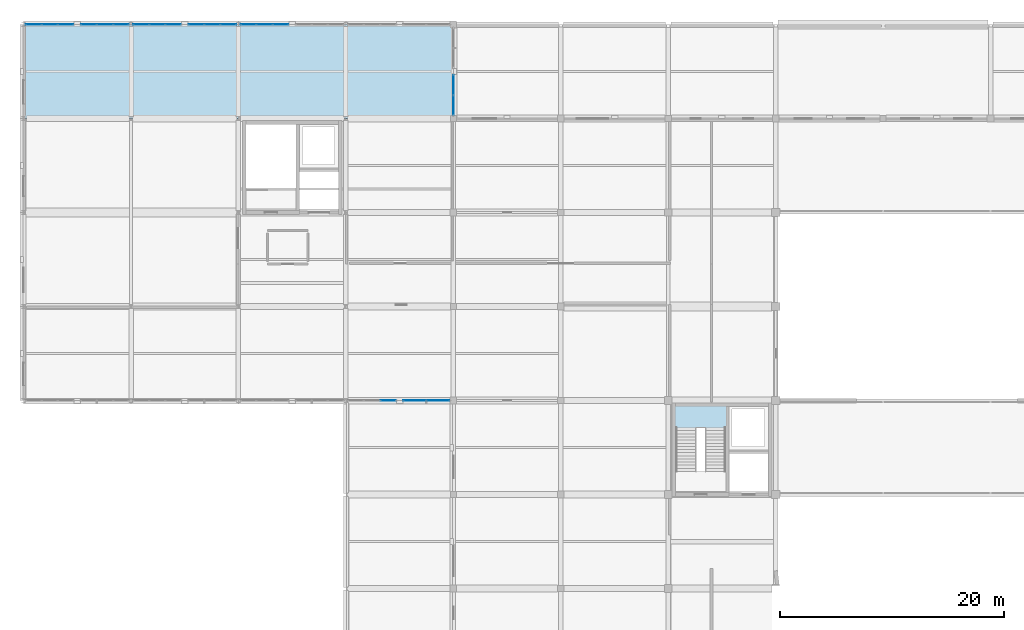
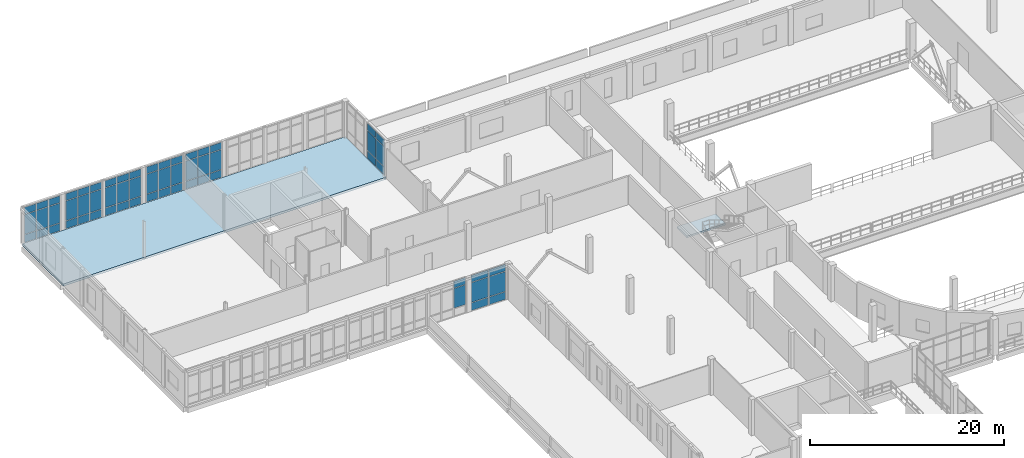
# One storey, part 68 of 88: 59 plates, 2 slabs, 9 elements without a shape of their own.
"""IFC4 building model written with IfcOpenShell, lengths in metres."""

import ifcopenshell
import ifcopenshell.guid

model = None  # the IFC model being written
_history = None  # IfcOwnerHistory: only IFC2X3 demands one
_inside = {}  # id of a spatial element -> (the spatial element, [elements in it])
_under = {}  # id of a project, library or spatial element -> (it, [spatial elements below it])
_declared = {}  # id of a project -> (the project, [libraries it declares])
_typed = {}  # id of a type object -> (the type object, [elements of that type])
_made_of = {}  # id of a material, layer set ... -> (it, [elements and type objects made of it])


def new_model(schema):
    """Start an empty IFC model of exactly this schema.

    Asked for "IFC4X3", IfcOpenShell would pick the latest addendum, in which some entities
    have other attributes; the version numbers below select the first issue.
    IFC2X3 requires an IfcOwnerHistory on every rooted entity: one is made here for all.
    """
    global model, _history
    if schema == "IFC4X3":
        model = ifcopenshell.file(schema_version=(4, 3, 0, 0))
    else:
        model = ifcopenshell.file(schema=schema)
    _inside.clear()
    _under.clear()
    _declared.clear()
    _typed.clear()
    _made_of.clear()
    _history = None
    if model.schema == "IFC2X3":
        org = make("IfcOrganization", Name="unknown")
        user = make(
            "IfcPersonAndOrganization",
            ThePerson=make("IfcPerson", FamilyName="unknown"),
            TheOrganization=org,
        )
        app = make(
            "IfcApplication",
            ApplicationDeveloper=org,
            Version="unknown",
            ApplicationFullName="unknown",
            ApplicationIdentifier="unknown",
        )
        _history = make(
            "IfcOwnerHistory",
            OwningUser=user,
            OwningApplication=app,
            ChangeAction="ADDED",
            CreationDate=0,
        )
    return model


def make(cls, **values):
    """One entity of the class cls with the attributes given. An attribute that is None is left unset."""
    return model.create_entity(
        cls, **{name: value for name, value in values.items() if value is not None}
    )


def rooted(cls, **values):
    """An entity with a GlobalId (a new one), such as an element, a storey or a relation."""
    return make(cls, GlobalId=ifcopenshell.guid.new(), OwnerHistory=_history, **values)


def si_unit(unit_type, name, prefix=None):
    """IfcSIUnit, for example si_unit("LENGTHUNIT", "METRE", prefix="MILLI")."""
    return make("IfcSIUnit", UnitType=unit_type, Prefix=prefix, Name=name)


def assignment(units):
    """IfcUnitAssignment: the units of a project."""
    return None if units is None else make("IfcUnitAssignment", Units=units)


def point(xyz):
    """IfcCartesianPoint."""
    return None if xyz is None else make("IfcCartesianPoint", Coordinates=xyz)


def direction(xyz):
    """IfcDirection."""
    return None if xyz is None else make("IfcDirection", DirectionRatios=xyz)


def frame(location, z_axis=None, x_axis=None):
    """IfcAxis2Placement3D, a coordinate frame: its origin and axes. An axis left out is left unset."""
    return make(
        "IfcAxis2Placement3D",
        Location=point(location),
        Axis=direction(z_axis),
        RefDirection=direction(x_axis),
    )


def frame_2d(location, x_axis=None):
    """IfcAxis2Placement2D, a coordinate frame in the plane: its origin and x axis."""
    return make(
        "IfcAxis2Placement2D", Location=point(location), RefDirection=direction(x_axis)
    )


def origin():
    """The frame at (0, 0, 0) with its axes left unset."""
    return frame((0.0, 0.0, 0.0))


def origin_2d():
    """The frame at (0, 0) in the plane with its x axis left unset."""
    return frame_2d((0.0, 0.0))


def place(relative_to, where):
    """IfcLocalPlacement: puts the frame where relative to a parent placement (None: the world)."""
    return make(
        "IfcLocalPlacement", PlacementRelTo=relative_to, RelativePlacement=where
    )


def context(
    kind, dimensions, precision=None, world=None, true_north=None, identifier=None
):
    """IfcGeometricRepresentationContext, for example the 3D "Model" context."""
    return make(
        "IfcGeometricRepresentationContext",
        ContextIdentifier=identifier,
        ContextType=kind,
        CoordinateSpaceDimension=dimensions,
        Precision=precision,
        WorldCoordinateSystem=world,
        TrueNorth=true_north,
    )


def subcontext(parent, identifier, kind, view, scale=None):
    """IfcGeometricRepresentationSubContext, for example "Body" below "Model"."""
    return make(
        "IfcGeometricRepresentationSubContext",
        ContextIdentifier=identifier,
        ContextType=kind,
        ParentContext=parent,
        TargetScale=scale,
        TargetView=view,
    )


def project(units=None, contexts=None):
    """IfcProject with its units and contexts."""
    return rooted(
        "IfcProject",
        Name="project",
        RepresentationContexts=contexts,
        UnitsInContext=assignment(units),
    )


def spatial(cls, under=None, at=None, **own):
    """A site, building, storey or space (cls), placed at a placement, below another one or the project."""
    s = rooted(cls, ObjectPlacement=at, **own)
    if under is not None:
        _under.setdefault(under.id(), (under, []))[1].append(s)
    return s


def polyline(points):
    """IfcPolyline through the points."""
    return make("IfcPolyline", Points=[point(p) for p in points])


def profile(cls, at=None, kind="AREA", **sizes):
    """A parametric profile (cls). Its sizes go by their IFC names, for example OverallWidth=200.0."""
    return make(cls, ProfileType=kind, Position=at, **sizes)


def rectangle(**sizes):
    """IfcRectangleProfileDef."""
    return profile("IfcRectangleProfileDef", **sizes)


def outline(outer, holes=None, kind="AREA"):
    """IfcArbitraryClosedProfileDef: a profile drawn as a closed curve; with holes, ...WithVoids."""
    if holes is None:
        return make("IfcArbitraryClosedProfileDef", ProfileType=kind, OuterCurve=outer)
    return make(
        "IfcArbitraryProfileDefWithVoids",
        ProfileType=kind,
        OuterCurve=outer,
        InnerCurves=holes,
    )


def extrude(swept, where, along, depth):
    """IfcExtrudedAreaSolid: the profile swept, set in the frame where, extruded along a direction by depth."""
    return make(
        "IfcExtrudedAreaSolid",
        SweptArea=swept,
        Position=where,
        ExtrudedDirection=direction(along),
        Depth=depth,
    )


def shape(context_of_items, identifier, shape_type, items):
    """IfcShapeRepresentation: the items that make up one representation, for example the "Body"."""
    return make(
        "IfcShapeRepresentation",
        ContextOfItems=context_of_items,
        RepresentationIdentifier=identifier,
        RepresentationType=shape_type,
        Items=items,
    )


def material(Name=None, Category=None):
    """IfcMaterial."""
    return make("IfcMaterial", Name=Name, Category=Category)


def layer(
    of_material, thickness, ventilated=None, Name=None, Category=None, Priority=None
):
    """IfcMaterialLayer: one layer of a wall or slab, of a material (None: an air gap)."""
    return make(
        "IfcMaterialLayer",
        Material=of_material,
        LayerThickness=thickness,
        IsVentilated=ventilated,
        Name=Name,
        Category=Category,
        Priority=Priority,
    )


def layer_set(layers, Name=None):
    """IfcMaterialLayerSet."""
    return make("IfcMaterialLayerSet", MaterialLayers=layers, LayerSetName=Name)


def made_of(thing, what):
    """Note that an element or type object is made of a material, layer set ...; save() writes the relation."""
    if what is not None:
        _made_of.setdefault(what.id(), (what, []))[1].append(thing)
    return thing


def type_object(cls, material=None, **own):
    """A type object (cls), such as IfcWallType, which elements share."""
    return made_of(rooted(cls, **own), material)


def element(
    cls,
    number,
    at=None,
    inside=None,
    cuts=None,
    type_object=None,
    material=None,
    context=None,
    identifier="Body",
    shape_type=None,
    held_by="IfcProductDefinitionShape",
    body=None,
    shapes=None,
    **own,
):
    """One element of the class cls, such as IfcWall. Its Tag is "e" and its number.

    at: its placement. inside: the storey or other place that contains it. cuts: it is an
    opening in that element (IfcRelVoidsElement). A single representation is given by context,
    identifier, shape_type and body (its items); several are given by shapes. held_by: the class
    of the entity that holds the representations. save() writes the other relations.
    """
    e = rooted(cls, Tag="e%d" % number, ObjectPlacement=at, **own)
    if body is not None:
        shapes = [shape(context, identifier, shape_type, body)]
    if shapes is not None:
        e.Representation = make(held_by, Representations=shapes)
    if inside is not None:
        _inside.setdefault(inside.id(), (inside, []))[1].append(e)
    if cuts is not None:
        rooted(
            "IfcRelVoidsElement", RelatingBuildingElement=cuts, RelatedOpeningElement=e
        )
    if type_object is not None:
        _typed.setdefault(type_object.id(), (type_object, []))[1].append(e)
    return made_of(e, material)


def aggregate(whole, parts):
    """IfcRelAggregates: a whole, such as a stair, and the parts it consists of."""
    return rooted("IfcRelAggregates", RelatingObject=whole, RelatedObjects=parts)


def save(model, path):
    """Write the relations noted so far, then the file.

    IfcRelAggregates (storeys below a building ...), IfcRelContainedInSpatialStructure (elements
    in a storey), IfcRelDefinesByType, IfcRelAssociatesMaterial and IfcRelDeclares: one each for
    every whole, place, type object, material and project.
    """
    for whole, parts in _under.values():
        aggregate(whole, parts)
    for where, things in _inside.values():
        rooted(
            "IfcRelContainedInSpatialStructure",
            RelatedElements=things,
            RelatingStructure=where,
        )
    for kind, things in _typed.values():
        rooted("IfcRelDefinesByType", RelatedObjects=things, RelatingType=kind)
    for what, things in _made_of.values():
        rooted("IfcRelAssociatesMaterial", RelatedObjects=things, RelatingMaterial=what)
    for by, libraries in _declared.values():
        rooted("IfcRelDeclares", RelatingContext=by, RelatedDefinitions=libraries)
    model.write(path)


model = new_model("IFC4")

# Units and contexts
model_context = context("Model", 3, precision=1e-05, world=origin(), true_north=direction((0.0, 1.0)))
body_context = subcontext(model_context, "Body", "Model", "MODEL_VIEW")
ifc_project = project(units=[si_unit("LENGTHUNIT", "METRE"), si_unit("AREAUNIT", "SQUARE_METRE"), si_unit("VOLUMEUNIT", "CUBIC_METRE"), si_unit("PLANEANGLEUNIT", "RADIAN"), si_unit("MASSUNIT", "GRAM", prefix="KILO")], contexts=[model_context])

# Site, building, storey
site_placement = place(None, origin())
site = spatial("IfcSite", under=ifc_project, at=site_placement, CompositionType="ELEMENT")
building_placement = place(site_placement, origin())
building = spatial("IfcBuilding", under=site, at=building_placement, Name="Lornevale Opera House", CompositionType="ELEMENT")
storey_placement = place(building_placement, frame((0.0, 0.0, 10.199951171875)))
storey = spatial("IfcBuildingStorey", under=building, at=storey_placement, Name="L03", CompositionType="ELEMENT", Elevation=10.199951171875)

# Curtain wall, plates
ifc_material_1 = material(Name="Anodized Oxide-Green Aluminium Framing", Category="aluminium")
ifc_layer_1 = layer(ifc_material_1, 0.175048828125)
ifc_layer_set_1 = layer_set([ifc_layer_1], Name="Anodized Oxide-Green Aluminium Framing")
curtain_wall_type = type_object("IfcCurtainWallType", Name="Chamber Cloister Curtain Wall M1700", PredefinedType="NOTDEFINED", material=ifc_layer_set_1)
curtain_wall_1_placement = place(storey_placement, origin())
curtain_wall_1 = element("IfcCurtainWall", 1, at=curtain_wall_1_placement, inside=storey, type_object=curtain_wall_type, Name="Chamber Cloister Curtain Wall M1700 CW-098", PredefinedType="NOTDEFINED")
ifc_material_2 = material(Name="Triple Low-E Insulated Glazing", Category="glass")
ifc_layer_2 = layer(ifc_material_2, 0.0419921875)
ifc_layer_set_2 = layer_set([ifc_layer_2], Name="Triple Low-E Insulated Glazing")
plate_type = type_object("IfcPlateType", Name="Ceramic Fritted Bird-Safe Panel 42", PredefinedType="CURTAIN_PANEL", material=ifc_layer_set_2)
plate_1_placement = place(storey_placement, frame((0.89501953125, 100.800048828125, 0.06494140625), z_axis=(0.0, 0.0, 1.0), x_axis=(1.0, 0.0, 0.0)))
plate_1 = element("IfcPlate", 2, at=plate_1_placement, type_object=plate_type, Name="Ceramic Fritted Bird-Safe Panel 42 CW1978", PredefinedType="CURTAIN_PANEL", context=body_context, shape_type="SweptSolid", body=[
    extrude(rectangle(XDim=1.35888671875, YDim=0.0419921875, at=origin_2d()), origin(), (0.0, 0.0, 1.0), 0.952392578125),
])
plate_2_placement = place(storey_placement, frame((0.89501953125, 100.800048828125, 1.08251953125), z_axis=(0.0, 0.0, 1.0), x_axis=(1.0, 0.0, 0.0)))
plate_2 = element("IfcPlate", 3, at=plate_2_placement, type_object=plate_type, Name="Ceramic Fritted Bird-Safe Panel 42 CW1979", PredefinedType="CURTAIN_PANEL", context=body_context, shape_type="SweptSolid", body=[
    extrude(rectangle(XDim=1.35888671875, YDim=0.0419921875, at=origin_2d()), origin(), (0.0, 0.0, 1.0), 2.47509765625),
])
plate_3_placement = place(storey_placement, frame((0.89501953125, 100.800048828125, 3.62255859375), z_axis=(0.0, 0.0, 1.0), x_axis=(1.0, 0.0, 0.0)))
plate_3 = element("IfcPlate", 4, at=plate_3_placement, type_object=plate_type, Name="Ceramic Fritted Bird-Safe Panel 42 CW1980", PredefinedType="CURTAIN_PANEL", context=body_context, shape_type="SweptSolid", body=[
    extrude(rectangle(XDim=1.35888671875, YDim=0.0419921875, at=origin_2d()), origin(), (0.0, 0.0, 1.0), 0.8525390625),
])
plate_4_placement = place(storey_placement, frame((2.335205078125, 100.800048828125, 0.06494140625), z_axis=(0.0, 0.0, 1.0), x_axis=(1.0, 0.0, 0.0)))
plate_4 = element("IfcPlate", 5, at=plate_4_placement, type_object=plate_type, Name="Ceramic Fritted Bird-Safe Panel 42 CW1985", PredefinedType="CURTAIN_PANEL", context=body_context, shape_type="SweptSolid", body=[
    extrude(rectangle(XDim=1.3916015625, YDim=0.0419921875, at=origin_2d()), origin(), (0.0, 0.0, 1.0), 0.952392578125),
])
plate_5_placement = place(storey_placement, frame((2.335205078125, 100.800048828125, 1.08251953125), z_axis=(0.0, 0.0, 1.0), x_axis=(1.0, 0.0, 0.0)))
plate_5 = element("IfcPlate", 6, at=plate_5_placement, type_object=plate_type, Name="Ceramic Fritted Bird-Safe Panel 42 CW1986", PredefinedType="CURTAIN_PANEL", context=body_context, shape_type="SweptSolid", body=[
    extrude(rectangle(XDim=1.3916015625, YDim=0.0419921875, at=origin_2d()), origin(), (0.0, 0.0, 1.0), 2.47509765625),
])
plate_6_placement = place(storey_placement, frame((2.335205078125, 100.800048828125, 3.62255859375), z_axis=(0.0, 0.0, 1.0), x_axis=(1.0, 0.0, 0.0)))
plate_6 = element("IfcPlate", 7, at=plate_6_placement, type_object=plate_type, Name="Ceramic Fritted Bird-Safe Panel 42 CW1987", PredefinedType="CURTAIN_PANEL", context=body_context, shape_type="SweptSolid", body=[
    extrude(rectangle(XDim=1.3916015625, YDim=0.0419921875, at=origin_2d()), origin(), (0.0, 0.0, 1.0), 0.8525390625),
])
plate_7_placement = place(storey_placement, frame((3.775390625, 100.800048828125, 0.06494140625), z_axis=(0.0, 0.0, 1.0), x_axis=(1.0, 0.0, 0.0)))
plate_7 = element("IfcPlate", 8, at=plate_7_placement, type_object=plate_type, Name="Ceramic Fritted Bird-Safe Panel 42 CW1992", PredefinedType="CURTAIN_PANEL", context=body_context, shape_type="SweptSolid", body=[
    extrude(rectangle(XDim=1.35888671875, YDim=0.0419921875, at=origin_2d()), origin(), (0.0, 0.0, 1.0), 0.952392578125),
])
plate_8_placement = place(storey_placement, frame((3.775390625, 100.800048828125, 1.08251953125), z_axis=(0.0, 0.0, 1.0), x_axis=(1.0, 0.0, 0.0)))
plate_8 = element("IfcPlate", 9, at=plate_8_placement, type_object=plate_type, Name="Ceramic Fritted Bird-Safe Panel 42 CW1993", PredefinedType="CURTAIN_PANEL", context=body_context, shape_type="SweptSolid", body=[
    extrude(rectangle(XDim=1.35888671875, YDim=0.0419921875, at=origin_2d()), origin(), (0.0, 0.0, 1.0), 2.47509765625),
])
plate_9_placement = place(storey_placement, frame((3.775390625, 100.800048828125, 3.62255859375), z_axis=(0.0, 0.0, 1.0), x_axis=(1.0, 0.0, 0.0)))
plate_9 = element("IfcPlate", 10, at=plate_9_placement, type_object=plate_type, Name="Ceramic Fritted Bird-Safe Panel 42 CW1994", PredefinedType="CURTAIN_PANEL", context=body_context, shape_type="SweptSolid", body=[
    extrude(rectangle(XDim=1.35888671875, YDim=0.0419921875, at=origin_2d()), origin(), (0.0, 0.0, 1.0), 0.8525390625),
])
aggregate(curtain_wall_1, [plate_1, plate_2, plate_3, plate_4, plate_5, plate_6, plate_7, plate_8, plate_9])

curtain_wall_2_placement = place(storey_placement, origin())
curtain_wall_2 = element("IfcCurtainWall", 11, at=curtain_wall_2_placement, inside=storey, type_object=curtain_wall_type, Name="Chamber Cloister Curtain Wall M1700 CW-099", PredefinedType="NOTDEFINED")
plate_10_placement = place(storey_placement, frame((5.824462890625, 100.800048828125, 0.06494140625), z_axis=(0.0, 0.0, 1.0), x_axis=(1.0, 0.0, 0.0)))
plate_10 = element("IfcPlate", 12, at=plate_10_placement, type_object=plate_type, Name="Ceramic Fritted Bird-Safe Panel 42 CW2003", PredefinedType="CURTAIN_PANEL", context=body_context, shape_type="SweptSolid", body=[
    extrude(rectangle(XDim=1.35888671875, YDim=0.0419921875, at=origin_2d()), origin(), (0.0, 0.0, 1.0), 0.952392578125),
])
plate_11_placement = place(storey_placement, frame((5.824462890625, 100.800048828125, 1.08251953125), z_axis=(0.0, 0.0, 1.0), x_axis=(1.0, 0.0, 0.0)))
plate_11 = element("IfcPlate", 13, at=plate_11_placement, type_object=plate_type, Name="Ceramic Fritted Bird-Safe Panel 42 CW2004", PredefinedType="CURTAIN_PANEL", context=body_context, shape_type="SweptSolid", body=[
    extrude(rectangle(XDim=1.35888671875, YDim=0.0419921875, at=origin_2d()), origin(), (0.0, 0.0, 1.0), 2.47509765625),
])
plate_12_placement = place(storey_placement, frame((5.824462890625, 100.800048828125, 3.62255859375), z_axis=(0.0, 0.0, 1.0), x_axis=(1.0, 0.0, 0.0)))
plate_12 = element("IfcPlate", 14, at=plate_12_placement, type_object=plate_type, Name="Ceramic Fritted Bird-Safe Panel 42 CW2005", PredefinedType="CURTAIN_PANEL", context=body_context, shape_type="SweptSolid", body=[
    extrude(rectangle(XDim=1.35888671875, YDim=0.0419921875, at=origin_2d()), origin(), (0.0, 0.0, 1.0), 0.8525390625),
])
plate_13_placement = place(storey_placement, frame((7.264892578125, 100.800048828125, 0.06494140625), z_axis=(0.0, 0.0, 1.0), x_axis=(1.0, 0.0, 0.0)))
plate_13 = element("IfcPlate", 15, at=plate_13_placement, type_object=plate_type, Name="Ceramic Fritted Bird-Safe Panel 42 CW2010", PredefinedType="CURTAIN_PANEL", context=body_context, shape_type="SweptSolid", body=[
    extrude(rectangle(XDim=1.3916015625, YDim=0.0419921875, at=origin_2d()), origin(), (0.0, 0.0, 1.0), 0.952392578125),
])
plate_14_placement = place(storey_placement, frame((7.264892578125, 100.800048828125, 1.08251953125), z_axis=(0.0, 0.0, 1.0), x_axis=(1.0, 0.0, 0.0)))
plate_14 = element("IfcPlate", 16, at=plate_14_placement, type_object=plate_type, Name="Ceramic Fritted Bird-Safe Panel 42 CW2011", PredefinedType="CURTAIN_PANEL", context=body_context, shape_type="SweptSolid", body=[
    extrude(rectangle(XDim=1.3916015625, YDim=0.0419921875, at=origin_2d()), origin(), (0.0, 0.0, 1.0), 2.47509765625),
])
plate_15_placement = place(storey_placement, frame((7.264892578125, 100.800048828125, 3.62255859375), z_axis=(0.0, 0.0, 1.0), x_axis=(1.0, 0.0, 0.0)))
plate_15 = element("IfcPlate", 17, at=plate_15_placement, type_object=plate_type, Name="Ceramic Fritted Bird-Safe Panel 42 CW2012", PredefinedType="CURTAIN_PANEL", context=body_context, shape_type="SweptSolid", body=[
    extrude(rectangle(XDim=1.3916015625, YDim=0.0419921875, at=origin_2d()), origin(), (0.0, 0.0, 1.0), 0.8525390625),
])
plate_16_placement = place(storey_placement, frame((8.705078125, 100.800048828125, 0.06494140625), z_axis=(0.0, 0.0, 1.0), x_axis=(1.0, 0.0, 0.0)))
plate_16 = element("IfcPlate", 18, at=plate_16_placement, type_object=plate_type, Name="Ceramic Fritted Bird-Safe Panel 42 CW2017", PredefinedType="CURTAIN_PANEL", context=body_context, shape_type="SweptSolid", body=[
    extrude(rectangle(XDim=1.35888671875, YDim=0.0419921875, at=origin_2d()), origin(), (0.0, 0.0, 1.0), 0.952392578125),
])
plate_17_placement = place(storey_placement, frame((8.705078125, 100.800048828125, 1.08251953125), z_axis=(0.0, 0.0, 1.0), x_axis=(1.0, 0.0, 0.0)))
plate_17 = element("IfcPlate", 19, at=plate_17_placement, type_object=plate_type, Name="Ceramic Fritted Bird-Safe Panel 42 CW2018", PredefinedType="CURTAIN_PANEL", context=body_context, shape_type="SweptSolid", body=[
    extrude(rectangle(XDim=1.35888671875, YDim=0.0419921875, at=origin_2d()), origin(), (0.0, 0.0, 1.0), 2.47509765625),
])
plate_18_placement = place(storey_placement, frame((8.705078125, 100.800048828125, 3.62255859375), z_axis=(0.0, 0.0, 1.0), x_axis=(1.0, 0.0, 0.0)))
plate_18 = element("IfcPlate", 20, at=plate_18_placement, type_object=plate_type, Name="Ceramic Fritted Bird-Safe Panel 42 CW2019", PredefinedType="CURTAIN_PANEL", context=body_context, shape_type="SweptSolid", body=[
    extrude(rectangle(XDim=1.35888671875, YDim=0.0419921875, at=origin_2d()), origin(), (0.0, 0.0, 1.0), 0.8525390625),
])
aggregate(curtain_wall_2, [plate_10, plate_11, plate_12, plate_13, plate_14, plate_15, plate_16, plate_17, plate_18])

curtain_wall_3_placement = place(storey_placement, origin())
curtain_wall_3 = element("IfcCurtainWall", 21, at=curtain_wall_3_placement, inside=storey, type_object=curtain_wall_type, Name="Chamber Cloister Curtain Wall M1700 CW-106", PredefinedType="NOTDEFINED")
plate_19_placement = place(storey_placement, frame((10.4951171875, 100.800048828125, 0.06494140625), z_axis=(0.0, 0.0, 1.0), x_axis=(1.0, 0.0, 0.0)))
plate_19 = element("IfcPlate", 22, at=plate_19_placement, type_object=plate_type, Name="Ceramic Fritted Bird-Safe Panel 42 CW2178", PredefinedType="CURTAIN_PANEL", context=body_context, shape_type="SweptSolid", body=[
    extrude(rectangle(XDim=1.35888671875, YDim=0.0419921875, at=origin_2d()), origin(), (0.0, 0.0, 1.0), 0.952392578125),
])
plate_20_placement = place(storey_placement, frame((10.4951171875, 100.800048828125, 1.08251953125), z_axis=(0.0, 0.0, 1.0), x_axis=(1.0, 0.0, 0.0)))
plate_20 = element("IfcPlate", 23, at=plate_20_placement, type_object=plate_type, Name="Ceramic Fritted Bird-Safe Panel 42 CW2179", PredefinedType="CURTAIN_PANEL", context=body_context, shape_type="SweptSolid", body=[
    extrude(rectangle(XDim=1.35888671875, YDim=0.0419921875, at=origin_2d()), origin(), (0.0, 0.0, 1.0), 2.47509765625),
])
plate_21_placement = place(storey_placement, frame((10.4951171875, 100.800048828125, 3.62255859375), z_axis=(0.0, 0.0, 1.0), x_axis=(1.0, 0.0, 0.0)))
plate_21 = element("IfcPlate", 24, at=plate_21_placement, type_object=plate_type, Name="Ceramic Fritted Bird-Safe Panel 42 CW2180", PredefinedType="CURTAIN_PANEL", context=body_context, shape_type="SweptSolid", body=[
    extrude(rectangle(XDim=1.35888671875, YDim=0.0419921875, at=origin_2d()), origin(), (0.0, 0.0, 1.0), 0.8525390625),
])
plate_22_placement = place(storey_placement, frame((11.935302734375, 100.800048828125, 0.06494140625), z_axis=(0.0, 0.0, 1.0), x_axis=(1.0, 0.0, 0.0)))
plate_22 = element("IfcPlate", 25, at=plate_22_placement, type_object=plate_type, Name="Ceramic Fritted Bird-Safe Panel 42 CW2185", PredefinedType="CURTAIN_PANEL", context=body_context, shape_type="SweptSolid", body=[
    extrude(rectangle(XDim=1.3916015625, YDim=0.0419921875, at=origin_2d()), origin(), (0.0, 0.0, 1.0), 0.952392578125),
])
plate_23_placement = place(storey_placement, frame((11.935302734375, 100.800048828125, 1.08251953125), z_axis=(0.0, 0.0, 1.0), x_axis=(1.0, 0.0, 0.0)))
plate_23 = element("IfcPlate", 26, at=plate_23_placement, type_object=plate_type, Name="Ceramic Fritted Bird-Safe Panel 42 CW2186", PredefinedType="CURTAIN_PANEL", context=body_context, shape_type="SweptSolid", body=[
    extrude(rectangle(XDim=1.3916015625, YDim=0.0419921875, at=origin_2d()), origin(), (0.0, 0.0, 1.0), 2.47509765625),
])
plate_24_placement = place(storey_placement, frame((11.935302734375, 100.800048828125, 3.62255859375), z_axis=(0.0, 0.0, 1.0), x_axis=(1.0, 0.0, 0.0)))
plate_24 = element("IfcPlate", 27, at=plate_24_placement, type_object=plate_type, Name="Ceramic Fritted Bird-Safe Panel 42 CW2187", PredefinedType="CURTAIN_PANEL", context=body_context, shape_type="SweptSolid", body=[
    extrude(rectangle(XDim=1.3916015625, YDim=0.0419921875, at=origin_2d()), origin(), (0.0, 0.0, 1.0), 0.8525390625),
])
plate_25_placement = place(storey_placement, frame((13.37548828125, 100.800048828125, 0.06494140625), z_axis=(0.0, 0.0, 1.0), x_axis=(1.0, 0.0, 0.0)))
plate_25 = element("IfcPlate", 28, at=plate_25_placement, type_object=plate_type, Name="Ceramic Fritted Bird-Safe Panel 42 CW2192", PredefinedType="CURTAIN_PANEL", context=body_context, shape_type="SweptSolid", body=[
    extrude(rectangle(XDim=1.35888671875, YDim=0.0419921875, at=origin_2d()), origin(), (0.0, 0.0, 1.0), 0.952392578125),
])
plate_26_placement = place(storey_placement, frame((13.37548828125, 100.800048828125, 1.08251953125), z_axis=(0.0, 0.0, 1.0), x_axis=(1.0, 0.0, 0.0)))
plate_26 = element("IfcPlate", 29, at=plate_26_placement, type_object=plate_type, Name="Ceramic Fritted Bird-Safe Panel 42 CW2193", PredefinedType="CURTAIN_PANEL", context=body_context, shape_type="SweptSolid", body=[
    extrude(rectangle(XDim=1.35888671875, YDim=0.0419921875, at=origin_2d()), origin(), (0.0, 0.0, 1.0), 2.47509765625),
])
plate_27_placement = place(storey_placement, frame((13.37548828125, 100.800048828125, 3.62255859375), z_axis=(0.0, 0.0, 1.0), x_axis=(1.0, 0.0, 0.0)))
plate_27 = element("IfcPlate", 30, at=plate_27_placement, type_object=plate_type, Name="Ceramic Fritted Bird-Safe Panel 42 CW2194", PredefinedType="CURTAIN_PANEL", context=body_context, shape_type="SweptSolid", body=[
    extrude(rectangle(XDim=1.35888671875, YDim=0.0419921875, at=origin_2d()), origin(), (0.0, 0.0, 1.0), 0.8525390625),
])
aggregate(curtain_wall_3, [plate_19, plate_20, plate_21, plate_22, plate_23, plate_24, plate_25, plate_26, plate_27])

curtain_wall_4_placement = place(storey_placement, origin())
curtain_wall_4 = element("IfcCurtainWall", 31, at=curtain_wall_4_placement, inside=storey, type_object=curtain_wall_type, Name="Chamber Cloister Curtain Wall M1700 CW-107", PredefinedType="NOTDEFINED")
plate_28_placement = place(storey_placement, frame((15.424560546875, 100.800048828125, 0.06494140625), z_axis=(0.0, 0.0, 1.0), x_axis=(1.0, 0.0, 0.0)))
plate_28 = element("IfcPlate", 32, at=plate_28_placement, type_object=plate_type, Name="Ceramic Fritted Bird-Safe Panel 42 CW2203", PredefinedType="CURTAIN_PANEL", context=body_context, shape_type="SweptSolid", body=[
    extrude(rectangle(XDim=1.35888671875, YDim=0.0419921875, at=origin_2d()), origin(), (0.0, 0.0, 1.0), 0.952392578125),
])
plate_29_placement = place(storey_placement, frame((15.424560546875, 100.800048828125, 1.08251953125), z_axis=(0.0, 0.0, 1.0), x_axis=(1.0, 0.0, 0.0)))
plate_29 = element("IfcPlate", 33, at=plate_29_placement, type_object=plate_type, Name="Ceramic Fritted Bird-Safe Panel 42 CW2204", PredefinedType="CURTAIN_PANEL", context=body_context, shape_type="SweptSolid", body=[
    extrude(rectangle(XDim=1.35888671875, YDim=0.0419921875, at=origin_2d()), origin(), (0.0, 0.0, 1.0), 2.47509765625),
])
plate_30_placement = place(storey_placement, frame((15.424560546875, 100.800048828125, 3.62255859375), z_axis=(0.0, 0.0, 1.0), x_axis=(1.0, 0.0, 0.0)))
plate_30 = element("IfcPlate", 34, at=plate_30_placement, type_object=plate_type, Name="Ceramic Fritted Bird-Safe Panel 42 CW2205", PredefinedType="CURTAIN_PANEL", context=body_context, shape_type="SweptSolid", body=[
    extrude(rectangle(XDim=1.35888671875, YDim=0.0419921875, at=origin_2d()), origin(), (0.0, 0.0, 1.0), 0.8525390625),
])
plate_31_placement = place(storey_placement, frame((16.86474609375, 100.800048828125, 0.06494140625), z_axis=(0.0, 0.0, 1.0), x_axis=(1.0, 0.0, 0.0)))
plate_31 = element("IfcPlate", 35, at=plate_31_placement, type_object=plate_type, Name="Ceramic Fritted Bird-Safe Panel 42 CW2210", PredefinedType="CURTAIN_PANEL", context=body_context, shape_type="SweptSolid", body=[
    extrude(rectangle(XDim=1.3916015625, YDim=0.0419921875, at=origin_2d()), origin(), (0.0, 0.0, 1.0), 0.952392578125),
])
plate_32_placement = place(storey_placement, frame((16.86474609375, 100.800048828125, 1.08251953125), z_axis=(0.0, 0.0, 1.0), x_axis=(1.0, 0.0, 0.0)))
plate_32 = element("IfcPlate", 36, at=plate_32_placement, type_object=plate_type, Name="Ceramic Fritted Bird-Safe Panel 42 CW2211", PredefinedType="CURTAIN_PANEL", context=body_context, shape_type="SweptSolid", body=[
    extrude(rectangle(XDim=1.3916015625, YDim=0.0419921875, at=origin_2d()), origin(), (0.0, 0.0, 1.0), 2.47509765625),
])
plate_33_placement = place(storey_placement, frame((16.86474609375, 100.800048828125, 3.62255859375), z_axis=(0.0, 0.0, 1.0), x_axis=(1.0, 0.0, 0.0)))
plate_33 = element("IfcPlate", 37, at=plate_33_placement, type_object=plate_type, Name="Ceramic Fritted Bird-Safe Panel 42 CW2212", PredefinedType="CURTAIN_PANEL", context=body_context, shape_type="SweptSolid", body=[
    extrude(rectangle(XDim=1.3916015625, YDim=0.0419921875, at=origin_2d()), origin(), (0.0, 0.0, 1.0), 0.8525390625),
])
plate_34_placement = place(storey_placement, frame((18.304931640625, 100.800048828125, 0.06494140625), z_axis=(0.0, 0.0, 1.0), x_axis=(1.0, 0.0, 0.0)))
plate_34 = element("IfcPlate", 38, at=plate_34_placement, type_object=plate_type, Name="Ceramic Fritted Bird-Safe Panel 42 CW2217", PredefinedType="CURTAIN_PANEL", context=body_context, shape_type="SweptSolid", body=[
    extrude(rectangle(XDim=1.35888671875, YDim=0.0419921875, at=origin_2d()), origin(), (0.0, 0.0, 1.0), 0.952392578125),
])
plate_35_placement = place(storey_placement, frame((18.304931640625, 100.800048828125, 1.08251953125), z_axis=(0.0, 0.0, 1.0), x_axis=(1.0, 0.0, 0.0)))
plate_35 = element("IfcPlate", 39, at=plate_35_placement, type_object=plate_type, Name="Ceramic Fritted Bird-Safe Panel 42 CW2218", PredefinedType="CURTAIN_PANEL", context=body_context, shape_type="SweptSolid", body=[
    extrude(rectangle(XDim=1.35888671875, YDim=0.0419921875, at=origin_2d()), origin(), (0.0, 0.0, 1.0), 2.47509765625),
])
plate_36_placement = place(storey_placement, frame((18.304931640625, 100.800048828125, 3.62255859375), z_axis=(0.0, 0.0, 1.0), x_axis=(1.0, 0.0, 0.0)))
plate_36 = element("IfcPlate", 40, at=plate_36_placement, type_object=plate_type, Name="Ceramic Fritted Bird-Safe Panel 42 CW2219", PredefinedType="CURTAIN_PANEL", context=body_context, shape_type="SweptSolid", body=[
    extrude(rectangle(XDim=1.35888671875, YDim=0.0419921875, at=origin_2d()), origin(), (0.0, 0.0, 1.0), 0.8525390625),
])
aggregate(curtain_wall_4, [plate_28, plate_29, plate_30, plate_31, plate_32, plate_33, plate_34, plate_35, plate_36])

curtain_wall_5_placement = place(storey_placement, origin())
curtain_wall_5 = element("IfcCurtainWall", 41, at=curtain_wall_5_placement, inside=storey, type_object=curtain_wall_type, Name="Chamber Cloister Curtain Wall M1700 CW-114", PredefinedType="NOTDEFINED")
plate_37_placement = place(storey_placement, frame((20.094970703125, 100.800048828125, 0.06494140625), z_axis=(0.0, 0.0, 1.0), x_axis=(1.0, 0.0, 0.0)))
plate_37 = element("IfcPlate", 42, at=plate_37_placement, type_object=plate_type, Name="Ceramic Fritted Bird-Safe Panel 42 CW2378", PredefinedType="CURTAIN_PANEL", context=body_context, shape_type="SweptSolid", body=[
    extrude(rectangle(XDim=1.35888671875, YDim=0.0419921875, at=origin_2d()), origin(), (0.0, 0.0, 1.0), 0.952392578125),
])
plate_38_placement = place(storey_placement, frame((20.094970703125, 100.800048828125, 1.08251953125), z_axis=(0.0, 0.0, 1.0), x_axis=(1.0, 0.0, 0.0)))
plate_38 = element("IfcPlate", 43, at=plate_38_placement, type_object=plate_type, Name="Ceramic Fritted Bird-Safe Panel 42 CW2379", PredefinedType="CURTAIN_PANEL", context=body_context, shape_type="SweptSolid", body=[
    extrude(rectangle(XDim=1.35888671875, YDim=0.0419921875, at=origin_2d()), origin(), (0.0, 0.0, 1.0), 2.47509765625),
])
plate_39_placement = place(storey_placement, frame((20.094970703125, 100.800048828125, 3.62255859375), z_axis=(0.0, 0.0, 1.0), x_axis=(1.0, 0.0, 0.0)))
plate_39 = element("IfcPlate", 44, at=plate_39_placement, type_object=plate_type, Name="Ceramic Fritted Bird-Safe Panel 42 CW2380", PredefinedType="CURTAIN_PANEL", context=body_context, shape_type="SweptSolid", body=[
    extrude(rectangle(XDim=1.35888671875, YDim=0.0419921875, at=origin_2d()), origin(), (0.0, 0.0, 1.0), 0.8525390625),
])
plate_40_placement = place(storey_placement, frame((21.53515625, 100.800048828125, 0.06494140625), z_axis=(0.0, 0.0, 1.0), x_axis=(1.0, 0.0, 0.0)))
plate_40 = element("IfcPlate", 45, at=plate_40_placement, type_object=plate_type, Name="Ceramic Fritted Bird-Safe Panel 42 CW2385", PredefinedType="CURTAIN_PANEL", context=body_context, shape_type="SweptSolid", body=[
    extrude(rectangle(XDim=1.3916015625, YDim=0.0419921875, at=origin_2d()), origin(), (0.0, 0.0, 1.0), 0.952392578125),
])
plate_41_placement = place(storey_placement, frame((21.53515625, 100.800048828125, 1.08251953125), z_axis=(0.0, 0.0, 1.0), x_axis=(1.0, 0.0, 0.0)))
plate_41 = element("IfcPlate", 46, at=plate_41_placement, type_object=plate_type, Name="Ceramic Fritted Bird-Safe Panel 42 CW2386", PredefinedType="CURTAIN_PANEL", context=body_context, shape_type="SweptSolid", body=[
    extrude(rectangle(XDim=1.3916015625, YDim=0.0419921875, at=origin_2d()), origin(), (0.0, 0.0, 1.0), 2.47509765625),
])
plate_42_placement = place(storey_placement, frame((21.53515625, 100.800048828125, 3.62255859375), z_axis=(0.0, 0.0, 1.0), x_axis=(1.0, 0.0, 0.0)))
plate_42 = element("IfcPlate", 47, at=plate_42_placement, type_object=plate_type, Name="Ceramic Fritted Bird-Safe Panel 42 CW2387", PredefinedType="CURTAIN_PANEL", context=body_context, shape_type="SweptSolid", body=[
    extrude(rectangle(XDim=1.3916015625, YDim=0.0419921875, at=origin_2d()), origin(), (0.0, 0.0, 1.0), 0.8525390625),
])
plate_43_placement = place(storey_placement, frame((22.9755859375, 100.800048828125, 0.06494140625), z_axis=(0.0, 0.0, 1.0), x_axis=(1.0, 0.0, 0.0)))
plate_43 = element("IfcPlate", 48, at=plate_43_placement, type_object=plate_type, Name="Ceramic Fritted Bird-Safe Panel 42 CW2392", PredefinedType="CURTAIN_PANEL", context=body_context, shape_type="SweptSolid", body=[
    extrude(rectangle(XDim=1.35888671875, YDim=0.0419921875, at=origin_2d()), origin(), (0.0, 0.0, 1.0), 0.952392578125),
])
plate_44_placement = place(storey_placement, frame((22.9755859375, 100.800048828125, 1.08251953125), z_axis=(0.0, 0.0, 1.0), x_axis=(1.0, 0.0, 0.0)))
plate_44 = element("IfcPlate", 49, at=plate_44_placement, type_object=plate_type, Name="Ceramic Fritted Bird-Safe Panel 42 CW2393", PredefinedType="CURTAIN_PANEL", context=body_context, shape_type="SweptSolid", body=[
    extrude(rectangle(XDim=1.35888671875, YDim=0.0419921875, at=origin_2d()), origin(), (0.0, 0.0, 1.0), 2.47509765625),
])
plate_45_placement = place(storey_placement, frame((22.9755859375, 100.800048828125, 3.62255859375), z_axis=(0.0, 0.0, 1.0), x_axis=(1.0, 0.0, 0.0)))
plate_45 = element("IfcPlate", 50, at=plate_45_placement, type_object=plate_type, Name="Ceramic Fritted Bird-Safe Panel 42 CW2394", PredefinedType="CURTAIN_PANEL", context=body_context, shape_type="SweptSolid", body=[
    extrude(rectangle(XDim=1.35888671875, YDim=0.0419921875, at=origin_2d()), origin(), (0.0, 0.0, 1.0), 0.8525390625),
])
aggregate(curtain_wall_5, [plate_37, plate_38, plate_39, plate_40, plate_41, plate_42, plate_43, plate_44, plate_45])

curtain_wall_6_placement = place(storey_placement, origin())
curtain_wall_6 = element("IfcCurtainWall", 51, at=curtain_wall_6_placement, inside=storey, type_object=curtain_wall_type, Name="Chamber Cloister Curtain Wall M1700 CW-124", PredefinedType="NOTDEFINED")
plate_46_placement = place(storey_placement, frame((37.03173828125, 67.199951171875, 0.06494140625), z_axis=(0.0, 0.0, 1.0), x_axis=(-1.0, 0.0, 0.0)))
plate_46 = element("IfcPlate", 52, at=plate_46_placement, type_object=plate_type, Name="Ceramic Fritted Bird-Safe Panel 42 CW2579", PredefinedType="CURTAIN_PANEL", context=body_context, shape_type="SweptSolid", body=[
    extrude(rectangle(XDim=2.014404296875, YDim=0.0419921875, at=origin_2d()), origin(), (0.0, 0.0, 1.0), 0.952392578125),
])
plate_47_placement = place(storey_placement, frame((37.03173828125, 67.199951171875, 1.08251953125), z_axis=(0.0, 0.0, 1.0), x_axis=(-1.0, 0.0, 0.0)))
plate_47 = element("IfcPlate", 53, at=plate_47_placement, type_object=plate_type, Name="Ceramic Fritted Bird-Safe Panel 42 CW2580", PredefinedType="CURTAIN_PANEL", context=body_context, shape_type="SweptSolid", body=[
    extrude(rectangle(XDim=2.014404296875, YDim=0.0419921875, at=origin_2d()), origin(), (0.0, 0.0, 1.0), 2.47509765625),
])
plate_48_placement = place(storey_placement, frame((37.03173828125, 67.199951171875, 3.62255859375), z_axis=(0.0, 0.0, 1.0), x_axis=(-1.0, 0.0, 0.0)))
plate_48 = element("IfcPlate", 54, at=plate_48_placement, type_object=plate_type, Name="Ceramic Fritted Bird-Safe Panel 42 CW2581", PredefinedType="CURTAIN_PANEL", context=body_context, shape_type="SweptSolid", body=[
    extrude(rectangle(XDim=2.014404296875, YDim=0.0419921875, at=origin_2d()), origin(), (0.0, 0.0, 1.0), 0.8525390625),
])
plate_49_placement = place(storey_placement, frame((34.9521484375, 67.199951171875, 0.06494140625), z_axis=(0.0, 0.0, 1.0), x_axis=(-1.0, 0.0, 0.0)))
plate_49 = element("IfcPlate", 55, at=plate_49_placement, type_object=plate_type, Name="Ceramic Fritted Bird-Safe Panel 42 CW2586", PredefinedType="CURTAIN_PANEL", context=body_context, shape_type="SweptSolid", body=[
    extrude(rectangle(XDim=2.014404296875, YDim=0.0419921875, at=origin_2d()), origin(), (0.0, 0.0, 1.0), 0.952392578125),
])
plate_50_placement = place(storey_placement, frame((34.9521484375, 67.199951171875, 1.08251953125), z_axis=(0.0, 0.0, 1.0), x_axis=(-1.0, 0.0, 0.0)))
plate_50 = element("IfcPlate", 56, at=plate_50_placement, type_object=plate_type, Name="Ceramic Fritted Bird-Safe Panel 42 CW2587", PredefinedType="CURTAIN_PANEL", context=body_context, shape_type="SweptSolid", body=[
    extrude(rectangle(XDim=2.014404296875, YDim=0.0419921875, at=origin_2d()), origin(), (0.0, 0.0, 1.0), 2.47509765625),
])
plate_51_placement = place(storey_placement, frame((34.9521484375, 67.199951171875, 3.62255859375), z_axis=(0.0, 0.0, 1.0), x_axis=(-1.0, 0.0, 0.0)))
plate_51 = element("IfcPlate", 57, at=plate_51_placement, type_object=plate_type, Name="Ceramic Fritted Bird-Safe Panel 42 CW2588", PredefinedType="CURTAIN_PANEL", context=body_context, shape_type="SweptSolid", body=[
    extrude(rectangle(XDim=2.014404296875, YDim=0.0419921875, at=origin_2d()), origin(), (0.0, 0.0, 1.0), 0.8525390625),
])
aggregate(curtain_wall_6, [plate_46, plate_47, plate_48, plate_49, plate_50, plate_51])

curtain_wall_7_placement = place(storey_placement, origin())
curtain_wall_7 = element("IfcCurtainWall", 58, at=curtain_wall_7_placement, inside=storey, type_object=curtain_wall_type, Name="Chamber Cloister Curtain Wall M1700 CW-125", PredefinedType="NOTDEFINED")
plate_52_placement = place(storey_placement, frame((32.575439453125, 67.199951171875, 1.08251953125), z_axis=(0.0, 0.0, 1.0), x_axis=(-1.0, 0.0, 0.0)))
plate_52 = element("IfcPlate", 59, at=plate_52_placement, type_object=plate_type, Name="Ceramic Fritted Bird-Safe Panel 42 CW2598", PredefinedType="CURTAIN_PANEL", context=body_context, shape_type="SweptSolid", body=[
    extrude(rectangle(XDim=1.35888671875, YDim=0.0419921875, at=origin_2d()), origin(), (0.0, 0.0, 1.0), 2.47509765625),
])
plate_53_placement = place(storey_placement, frame((32.575439453125, 67.199951171875, 3.62255859375), z_axis=(0.0, 0.0, 1.0), x_axis=(-1.0, 0.0, 0.0)))
plate_53 = element("IfcPlate", 60, at=plate_53_placement, type_object=plate_type, Name="Ceramic Fritted Bird-Safe Panel 42 CW2599", PredefinedType="CURTAIN_PANEL", context=body_context, shape_type="SweptSolid", body=[
    extrude(rectangle(XDim=1.35888671875, YDim=0.0419921875, at=origin_2d()), origin(), (0.0, 0.0, 1.0), 0.8525390625),
])
aggregate(curtain_wall_7, [plate_52, plate_53])

curtain_wall_8_placement = place(storey_placement, origin())
curtain_wall_8 = element("IfcCurtainWall", 61, at=curtain_wall_8_placement, inside=storey, type_object=curtain_wall_type, Name="Chamber Cloister Curtain Wall M1700 CW-129", PredefinedType="NOTDEFINED")
plate_54_placement = place(storey_placement, frame((38.39990234375, 95.3916015625, 0.06494140625), z_axis=(0.0, 0.0, 1.0), x_axis=(0.0, -1.0, 0.0)))
plate_54 = element("IfcPlate", 62, at=plate_54_placement, type_object=plate_type, Name="Ceramic Fritted Bird-Safe Panel 42 CW2680", PredefinedType="CURTAIN_PANEL", context=body_context, shape_type="SweptSolid", body=[
    extrude(rectangle(XDim=1.72705078125, YDim=0.0419921875, at=origin_2d()), origin(), (0.0, 0.0, 1.0), 0.952392578125),
])
plate_55_placement = place(storey_placement, frame((38.39990234375, 95.3916015625, 1.08251953125), z_axis=(0.0, 0.0, 1.0), x_axis=(0.0, -1.0, 0.0)))
plate_55 = element("IfcPlate", 63, at=plate_55_placement, type_object=plate_type, Name="Ceramic Fritted Bird-Safe Panel 42 CW2681", PredefinedType="CURTAIN_PANEL", context=body_context, shape_type="SweptSolid", body=[
    extrude(rectangle(XDim=1.72705078125, YDim=0.0419921875, at=origin_2d()), origin(), (0.0, 0.0, 1.0), 2.47509765625),
])
plate_56_placement = place(storey_placement, frame((38.39990234375, 95.3916015625, 3.62255859375), z_axis=(0.0, 0.0, 1.0), x_axis=(0.0, -1.0, 0.0)))
plate_56 = element("IfcPlate", 64, at=plate_56_placement, type_object=plate_type, Name="Ceramic Fritted Bird-Safe Panel 42 CW2682", PredefinedType="CURTAIN_PANEL", context=body_context, shape_type="SweptSolid", body=[
    extrude(rectangle(XDim=1.72705078125, YDim=0.0419921875, at=origin_2d()), origin(), (0.0, 0.0, 1.0), 0.8525390625),
])
plate_57_placement = place(storey_placement, frame((38.39990234375, 93.599609375, 0.06494140625), z_axis=(0.0, 0.0, 1.0), x_axis=(0.0, -1.0, 0.0)))
plate_57 = element("IfcPlate", 65, at=plate_57_placement, type_object=plate_type, Name="Ceramic Fritted Bird-Safe Panel 42 CW2687", PredefinedType="CURTAIN_PANEL", context=body_context, shape_type="SweptSolid", body=[
    extrude(rectangle(XDim=1.72705078125, YDim=0.0419921875, at=origin_2d()), origin(), (0.0, 0.0, 1.0), 0.952392578125),
])
plate_58_placement = place(storey_placement, frame((38.39990234375, 93.599609375, 1.08251953125), z_axis=(0.0, 0.0, 1.0), x_axis=(0.0, -1.0, 0.0)))
plate_58 = element("IfcPlate", 66, at=plate_58_placement, type_object=plate_type, Name="Ceramic Fritted Bird-Safe Panel 42 CW2688", PredefinedType="CURTAIN_PANEL", context=body_context, shape_type="SweptSolid", body=[
    extrude(rectangle(XDim=1.72705078125, YDim=0.0419921875, at=origin_2d()), origin(), (0.0, 0.0, 1.0), 2.47509765625),
])
plate_59_placement = place(storey_placement, frame((38.39990234375, 93.599609375, 3.62255859375), z_axis=(0.0, 0.0, 1.0), x_axis=(0.0, -1.0, 0.0)))
plate_59 = element("IfcPlate", 67, at=plate_59_placement, type_object=plate_type, Name="Ceramic Fritted Bird-Safe Panel 42 CW2689", PredefinedType="CURTAIN_PANEL", context=body_context, shape_type="SweptSolid", body=[
    extrude(rectangle(XDim=1.72705078125, YDim=0.0419921875, at=origin_2d()), origin(), (0.0, 0.0, 1.0), 0.8525390625),
])
aggregate(curtain_wall_8, [plate_54, plate_55, plate_56, plate_57, plate_58, plate_59])

# Slab
ifc_material_3 = material(Name="Concrete 35 MPa (CSA A23.1 N)", Category="concrete")
ifc_layer_3 = layer(ifc_material_3, 0.280029296875)
ifc_layer_set_3 = layer_set([ifc_layer_3], Name="Concrete 35 MPa (CSA A23.1 N)")
slab_type_1 = type_object("IfcSlabType", Name="Dress Circle Floor Slab 280", PredefinedType="FLOOR", material=ifc_layer_set_3)
slab_1_placement = place(storey_placement, frame((0.0, 0.0, -0.280029296875)))
element("IfcSlab", 68, at=slab_1_placement, inside=storey, type_object=slab_type_1, Name="Dress Circle Floor Slab 280 SL-051", PredefinedType="FLOOR", context=body_context, shape_type="SweptSolid", body=[
    extrude(outline(polyline([(0.0, 100.800048828125), (9.60009765625, 100.800048828125), (19.199951171875, 100.800048828125), (28.800048828125, 100.800048828125), (38.39990234375, 100.800048828125), (38.39990234375, 92.39990234375), (28.800048828125, 92.39990234375), (19.199951171875, 92.39990234375), (9.60009765625, 92.39990234375), (0.0, 92.39990234375), (0.0, 100.800048828125)])), origin(), (0.0, 0.0, 1.0), 0.280029296875),
])

# Stair, slab
ifc_layer_4 = layer(ifc_material_3, 4.800048828125)
ifc_layer_set_4 = layer_set([ifc_layer_4], Name="Concrete 35 MPa (CSA A23.1 N)")
stair_type = type_object("IfcStairType", Name="Protected Exit Stair 4800-W1840", PredefinedType="TWO_STRAIGHT_RUN_STAIR", material=ifc_layer_set_4)
stair_placement = place(storey_placement, origin())
stair = element("IfcStair", 69, at=stair_placement, inside=storey, type_object=stair_type, Name="Auditorium West Tier Core Stair ST-18 (L03-L04)", PredefinedType="TWO_STRAIGHT_RUN_STAIR")
ifc_layer_5 = layer(ifc_material_3, 0.219970703125)
ifc_layer_set_5 = layer_set([ifc_layer_5], Name="Concrete 35 MPa (CSA A23.1 N)")
slab_type_2 = type_object("IfcSlabType", Name="Stair Half-Landing Slab 220", PredefinedType="LANDING", material=ifc_layer_set_5)
slab_2_placement = place(storey_placement, frame((0.0, 0.0, 2.179931640625)))
slab_2 = element("IfcSlab", 70, at=slab_2_placement, type_object=slab_type_2, Name="ST-18 Half-Landing SL-LND-018", PredefinedType="LANDING", context=body_context, shape_type="SweptSolid", body=[
    extrude(outline(polyline([(58.199951171875, 64.760009765625), (62.800048828125, 64.760009765625), (62.800048828125, 66.780029296875), (58.199951171875, 66.780029296875), (58.199951171875, 64.760009765625)])), origin(), (0.0, 0.0, 1.0), 0.22021484375),
])
aggregate(stair, [slab_2])

save(model, "model.ifc")
